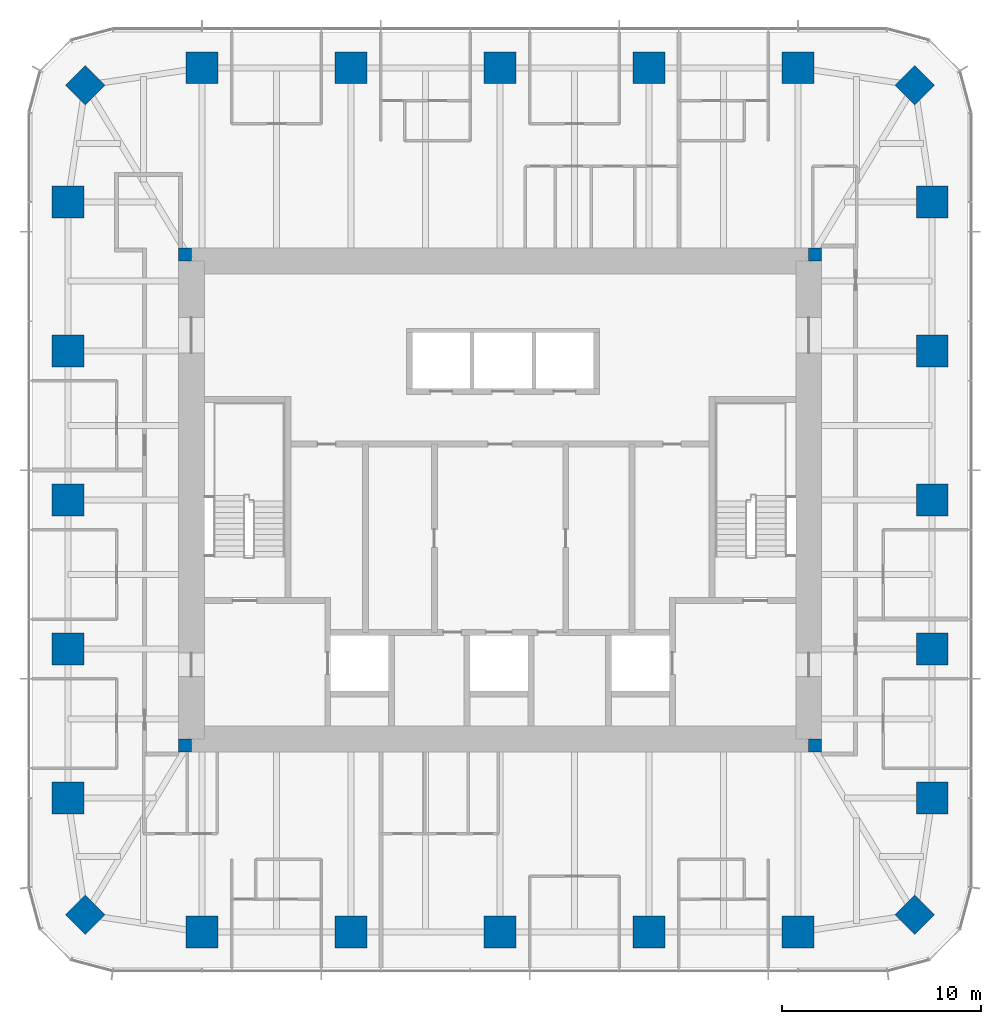
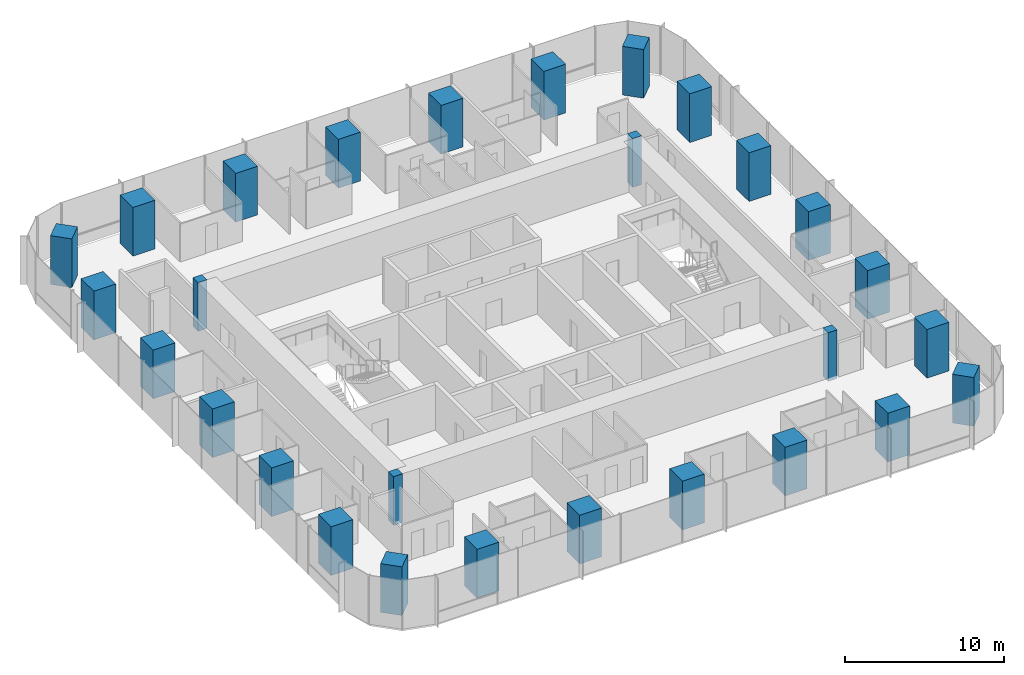
# One storey, part 1 of 12: 28 columns.
"""IFC4 building model written with IfcOpenShell, lengths in metres."""

from ifc_helpers import new_model, si_unit, direction, frame, origin, origin_2d, place, context, subcontext, project, spatial, rectangle, extrude, material, material_profile, profile_set, type_object, element, save


model = new_model("IFC4")

# Units and contexts
model_context = context("Model", 3, precision=1e-05, world=origin(), true_north=direction((0.0, 1.0)))
body_context = subcontext(model_context, "Body", "Model", "MODEL_VIEW")
ifc_project = project(units=[si_unit("LENGTHUNIT", "METRE"), si_unit("AREAUNIT", "SQUARE_METRE"), si_unit("VOLUMEUNIT", "CUBIC_METRE"), si_unit("PLANEANGLEUNIT", "RADIAN"), si_unit("MASSUNIT", "GRAM", prefix="KILO")], contexts=[model_context])

# Site, building, storey
site_placement = place(None, origin())
site = spatial("IfcSite", under=ifc_project, at=site_placement, CompositionType="ELEMENT")
building_placement = place(site_placement, origin())
building = spatial("IfcBuilding", under=site, at=building_placement, Name="Khuree Lantern Residences", CompositionType="ELEMENT")
storey_placement = place(building_placement, frame((0.0, 0.0, 312.0)))
storey = spatial("IfcBuildingStorey", under=building, at=storey_placement, Name="L78", CompositionType="ELEMENT", Elevation=312.0)

# Columns
ifc_material_1 = material(Name="Concrete C70/85", Category="concrete")
ifc_material_profile_1 = material_profile(ifc_material_1, rectangle(XDim=1.39990234375, YDim=1.39990234375, at=origin_2d()), Name="RC 1400X1400")
ifc_profile_set_1 = profile_set([ifc_material_profile_1], Name="Concrete C70/85")
column_type_1 = type_object("IfcColumnType", Name="CC1400 PERIMETER CORNER COLUMN RC 1400X1400", PredefinedType="COLUMN", material=ifc_profile_set_1)
for number, where, z_axis, x_axis, name in (
    (1, (20.8212890625, 20.8212890625, 0.0), (0.0, 0.0, 1.0), (0.707106781187, -0.707106781187, 0.0), "Perimeter column NE"),
    (2, (20.8212890625, -20.8212890625, 0.0), (0.0, 0.0, 1.0), (0.707106781187, 0.707106781187, 0.0), "Perimeter column SE"),
    (3, (-20.8212890625, -20.8212890625, 0.0), (0.0, 0.0, 1.0), (0.707106781187, -0.707106781187, 0.0), "Perimeter column SW"),
    (4, (-20.8212890625, 20.8212890625, 0.0), (0.0, 0.0, 1.0), (0.707106781187, 0.707106781187, 0.0), "Perimeter column NW"),
):
    element("IfcColumn", number, at=place(storey_placement, frame(where, z_axis=z_axis, x_axis=x_axis)), inside=storey, type_object=column_type_1, Name=name, PredefinedType="COLUMN", context=body_context, shape_type="SweptSolid", body=[
        extrude(rectangle(XDim=1.39990234375, YDim=1.39990234375, at=origin_2d()), origin(), (0.0, 0.0, 1.0), 3.75),
    ])
ifc_material_2 = material(Name="Concrete C50/60", Category="concrete")
ifc_material_profile_2 = material_profile(ifc_material_2, rectangle(XDim=0.64990234375, YDim=0.64990234375, at=origin_2d()), Name="RC 650X650")
ifc_profile_set_2 = profile_set([ifc_material_profile_2], Name="Concrete C50/60")
column_type_2 = type_object("IfcColumnType", Name="CP650-C50 CORE CORNER PIER C50 RC 650X650", PredefinedType="COLUMN", material=ifc_profile_set_2)
for number, where, z_axis, x_axis, name in (
    (5, (15.824951171875, 12.324951171875, -0.25), (0.0, 0.0, 1.0), (1.0, 0.0, 0.0), "Core corner pier NE"),
    (6, (-15.824951171875, 12.324951171875, -0.25), (0.0, 0.0, 1.0), (1.0, 0.0, 0.0), "Core corner pier NW"),
    (7, (-15.824951171875, -12.324951171875, -0.25), (0.0, 0.0, 1.0), (1.0, 0.0, 0.0), "Core corner pier SW"),
    (8, (15.824951171875, -12.324951171875, -0.25), (0.0, 0.0, 1.0), (1.0, 0.0, 0.0), "Core corner pier SE"),
):
    element("IfcColumn", number, at=place(storey_placement, frame(where, z_axis=z_axis, x_axis=x_axis)), inside=storey, type_object=column_type_2, Name=name, PredefinedType="COLUMN", context=body_context, shape_type="SweptSolid", body=[
        extrude(rectangle(XDim=0.64990234375, YDim=0.64990234375, at=origin_2d()), origin(), (0.0, 0.0, 1.0), 3.75),
    ])
ifc_material_profile_3 = material_profile(ifc_material_1, rectangle(XDim=1.60009765625, YDim=1.60009765625, at=origin_2d()), Name="RC 1600X1600")
ifc_profile_set_3 = profile_set([ifc_material_profile_3], Name="Concrete C70/85")
column_type_3 = type_object("IfcColumnType", Name="PC5 PERIMETER COLUMN RC 1600X1600", PredefinedType="COLUMN", material=ifc_profile_set_3)
for number, where, z_axis, x_axis, name in (
    (9, (-14.9599609375, 21.699951171875, 0.0), (0.0, 0.0, 1.0), (1.0, 0.0, 0.0), "Perimeter column N1"),
    (10, (-7.47998046875, 21.699951171875, 0.0), (0.0, 0.0, 1.0), (1.0, 0.0, 0.0), "Perimeter column N2"),
    (11, (0.0, 21.699951171875, 0.0), (0.0, 0.0, 1.0), (1.0, 0.0, 0.0), "Perimeter column N3"),
    (12, (7.47998046875, 21.699951171875, 0.0), (0.0, 0.0, 1.0), (1.0, 0.0, 0.0), "Perimeter column N4"),
    (13, (14.9599609375, 21.699951171875, 0.0), (0.0, 0.0, 1.0), (1.0, 0.0, 0.0), "Perimeter column N5"),
    (14, (21.699951171875, 14.9599609375, 0.0), (0.0, 0.0, 1.0), (0.0, 1.0, 0.0), "Perimeter column E1"),
    (15, (21.699951171875, 7.47998046875, 0.0), (0.0, 0.0, 1.0), (0.0, 1.0, 0.0), "Perimeter column E2"),
    (16, (21.699951171875, 0.0, 0.0), (0.0, 0.0, 1.0), (0.0, 1.0, 0.0), "Perimeter column E3"),
    (17, (21.699951171875, -7.47998046875, 0.0), (0.0, 0.0, 1.0), (0.0, 1.0, 0.0), "Perimeter column E4"),
    (18, (21.699951171875, -14.9599609375, 0.0), (0.0, 0.0, 1.0), (0.0, 1.0, 0.0), "Perimeter column E5"),
    (19, (14.9599609375, -21.699951171875, 0.0), (0.0, 0.0, 1.0), (1.0, 0.0, 0.0), "Perimeter column S1"),
    (20, (7.47998046875, -21.699951171875, 0.0), (0.0, 0.0, 1.0), (1.0, 0.0, 0.0), "Perimeter column S2"),
    (21, (0.0, -21.699951171875, 0.0), (0.0, 0.0, 1.0), (1.0, 0.0, 0.0), "Perimeter column S3"),
    (22, (-7.47998046875, -21.699951171875, 0.0), (0.0, 0.0, 1.0), (1.0, 0.0, 0.0), "Perimeter column S4"),
    (23, (-14.9599609375, -21.699951171875, 0.0), (0.0, 0.0, 1.0), (1.0, 0.0, 0.0), "Perimeter column S5"),
    (24, (-21.699951171875, -14.9599609375, 0.0), (0.0, 0.0, 1.0), (0.0, 1.0, 0.0), "Perimeter column W1"),
    (25, (-21.699951171875, -7.47998046875, 0.0), (0.0, 0.0, 1.0), (0.0, 1.0, 0.0), "Perimeter column W2"),
    (26, (-21.699951171875, 0.0, 0.0), (0.0, 0.0, 1.0), (0.0, 1.0, 0.0), "Perimeter column W3"),
    (27, (-21.699951171875, 7.47998046875, 0.0), (0.0, 0.0, 1.0), (0.0, 1.0, 0.0), "Perimeter column W4"),
    (28, (-21.699951171875, 14.9599609375, 0.0), (0.0, 0.0, 1.0), (0.0, 1.0, 0.0), "Perimeter column W5"),
):
    element("IfcColumn", number, at=place(storey_placement, frame(where, z_axis=z_axis, x_axis=x_axis)), inside=storey, type_object=column_type_3, Name=name, PredefinedType="COLUMN", context=body_context, shape_type="SweptSolid", body=[
        extrude(rectangle(XDim=1.60009765625, YDim=1.60009765625, at=origin_2d()), origin(), (0.0, 0.0, 1.0), 3.75),
    ])

save(model, "model.ifc")
